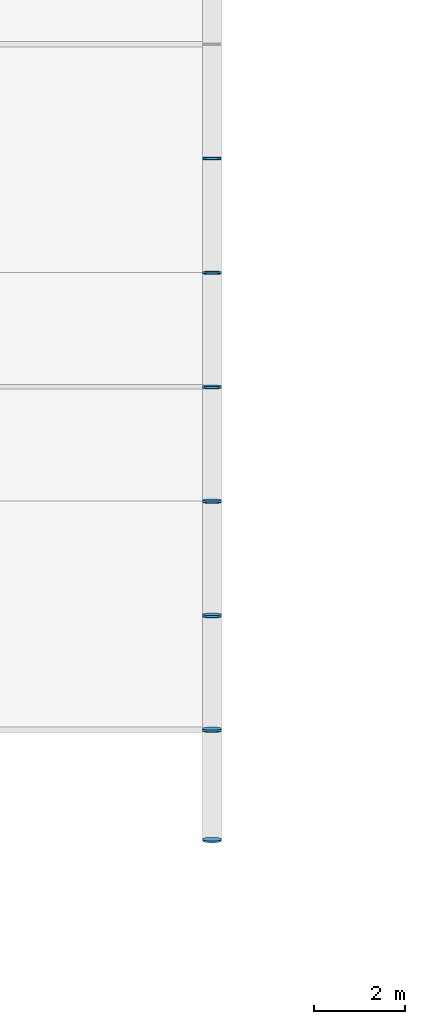
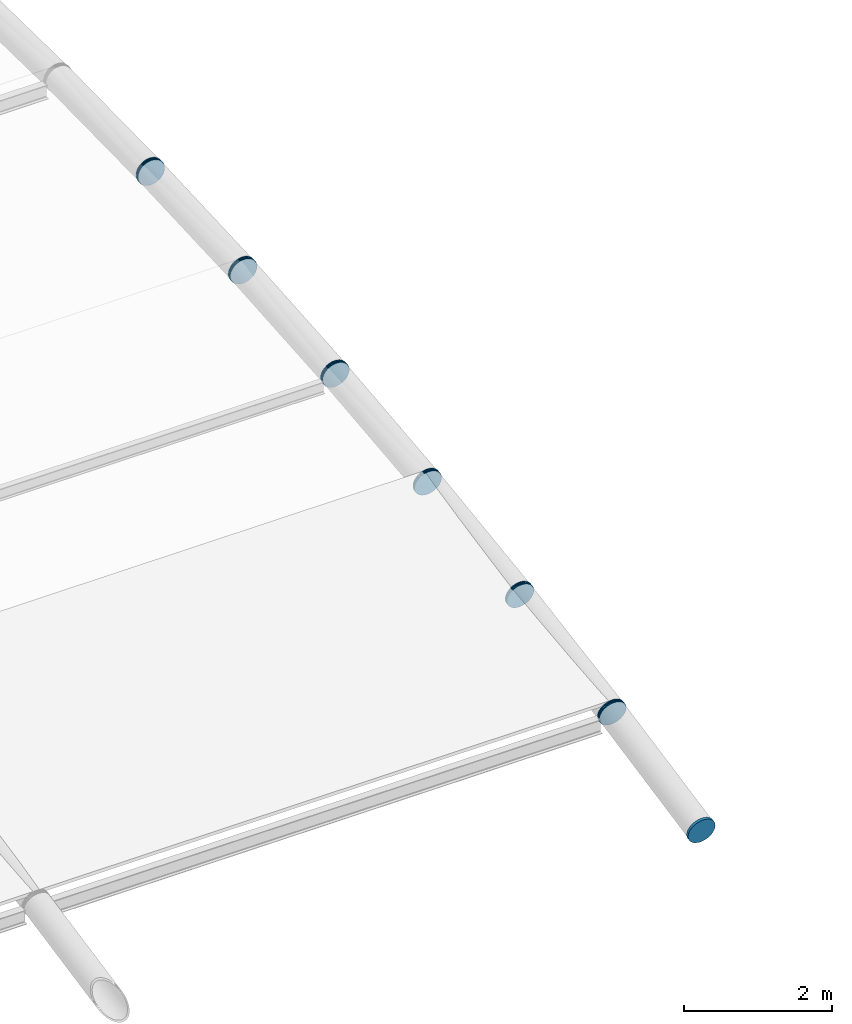
# One storey, part 68 of 105: 13 discrete accessories.
"""IFC4 building model written with IfcOpenShell, lengths in metres."""

from ifc_helpers import new_model, si_unit, direction, frame, origin, origin_2d, place, context, subcontext, project, spatial, circle, extrude, material, element, save


model = new_model("IFC4")

# Units and contexts
model_context = context("Model", 3, precision=1e-05, world=origin(), true_north=direction((0.0, 1.0)))
body_context = subcontext(model_context, "Body", "Model", "MODEL_VIEW")
ifc_project = project(units=[si_unit("LENGTHUNIT", "METRE"), si_unit("AREAUNIT", "SQUARE_METRE"), si_unit("VOLUMEUNIT", "CUBIC_METRE"), si_unit("PLANEANGLEUNIT", "RADIAN"), si_unit("MASSUNIT", "GRAM", prefix="KILO")], contexts=[model_context])

# Site, building, storey
site_placement = place(None, origin())
site = spatial("IfcSite", under=ifc_project, at=site_placement, CompositionType="ELEMENT")
building_placement = place(site_placement, origin())
building = spatial("IfcBuilding", under=site, at=building_placement, Name="Marlcrest Central Station", CompositionType="ELEMENT")
storey_placement = place(building_placement, frame((0.0, 0.0, 15.0)))
storey = spatial("IfcBuildingStorey", under=building, at=storey_placement, Name="L03", CompositionType="ELEMENT", Elevation=15.0)

# Discrete accessories
ifc_material = material(Name="Steel S355", Category="steel")
for number, where, z_axis, x_axis, name in (
    (1, (72.0, 48.5654296875, -0.0859375), (0.0, 0.980359417961, 0.197219196874), (-1.0, 0.0, 0.0), "endcap-mem-AC-01-L03-01011-s"),
    (2, (72.0, 50.9755859375, 0.39892578125), (0.0, 0.980359417961, 0.197219196874), (-1.0, 0.0, 0.0), "endcap-mem-AC-01-L03-01011-e"),
    (3, (72.0, 50.985107421875, 0.4013671875), (0.0, 0.98574109921, 0.168269086076), (-1.0, 0.0, 0.0), "endcap-mem-AC-01-L03-01015-s"),
    (4, (72.0, 53.475341796875, 0.826416015625), (0.0, 0.98574109921, 0.168269086076), (-1.0, 0.0, 0.0), "endcap-mem-AC-01-L03-01015-e"),
    (5, (72.0, 53.485107421875, 0.82861328125), (0.0, 0.990402740232, 0.138211476152), (-1.0, 0.0, 0.0), "endcap-mem-AC-01-L03-01019-s"),
    (6, (72.0, 55.975341796875, 1.176025390625), (0.0, 0.990402740232, 0.138211476152), (-1.0, 0.0, 0.0), "endcap-mem-AC-01-L03-01019-e"),
    (7, (72.0, 55.985107421875, 1.177734375), (0.0, 0.994155341034, 0.107959056565), (-1.0, 0.0, 0.0), "endcap-mem-AC-01-L03-01023-s"),
    (8, (72.0, 58.47509765625, 1.4482421875), (0.0, 0.994155341034, 0.107959056565), (-1.0, 0.0, 0.0), "endcap-mem-AC-01-L03-01023-e"),
    (9, (72.0, 58.485107421875, 1.44970703125), (0.0, 0.996999825732, 0.077403795064), (-1.0, 0.0, 0.0), "endcap-mem-AC-01-L03-01027-s"),
    (10, (72.0, 60.97509765625, 1.64306640625), (0.0, 0.996999825732, 0.077403795064), (-1.0, 0.0, 0.0), "endcap-mem-AC-01-L03-01027-e"),
    (11, (72.0, 60.985107421875, 1.644287109375), (0.0, 0.998921349185, 0.046434234591), (-1.0, 0.0, 0.0), "endcap-mem-AC-01-L03-01031-s"),
    (12, (72.0, 63.47509765625, 1.760009765625), (0.0, 0.998921349185, 0.046434234591), (-1.0, 0.0, 0.0), "endcap-mem-AC-01-L03-01031-e"),
    (13, (72.0, 63.485107421875, 1.760986328125), (0.0, 0.999879472592, 0.01552547228), (-1.0, 0.0, 0.0), "endcap-mem-AC-01-L03-01035-s"),
):
    element("IfcDiscreteAccessory", number, at=place(storey_placement, frame(where, z_axis=z_axis, x_axis=x_axis)), inside=storey, material=ifc_material, Name=name, ObjectType="END_CAP_PLATE", PredefinedType="BRACKET", context=body_context, shape_type="SweptSolid", body=[
        extrude(circle(Radius=0.211181640625, at=origin_2d()), origin(), (0.0, 0.0, 1.0), 0.0400390625),
    ])

save(model, "model.ifc")
